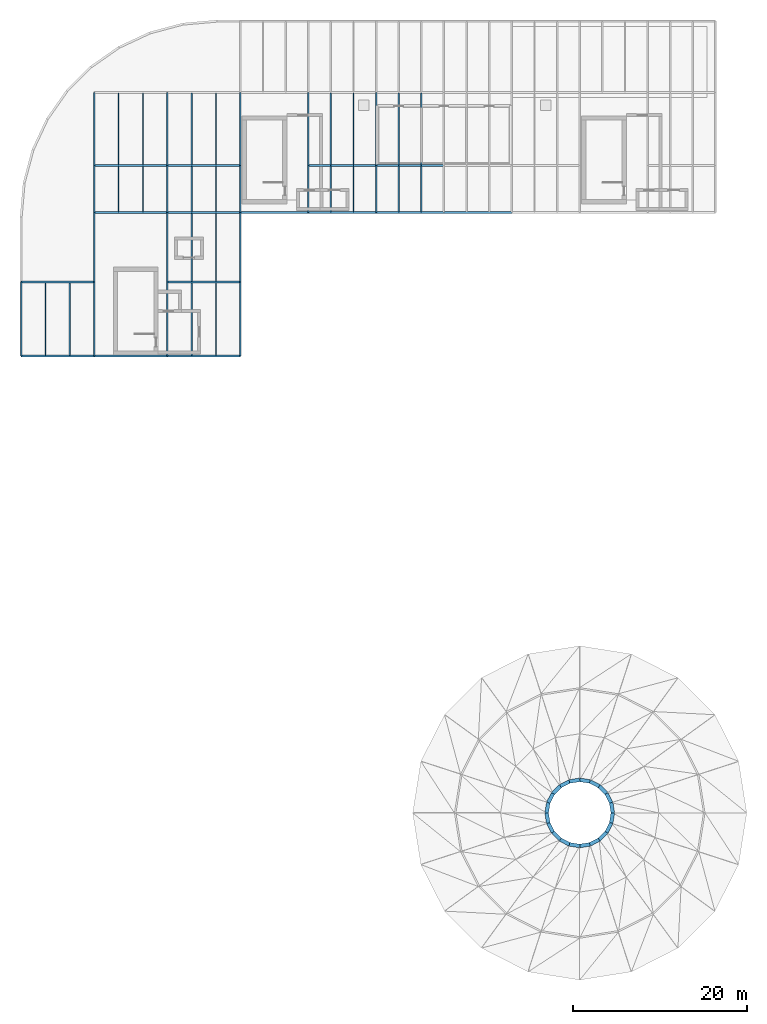
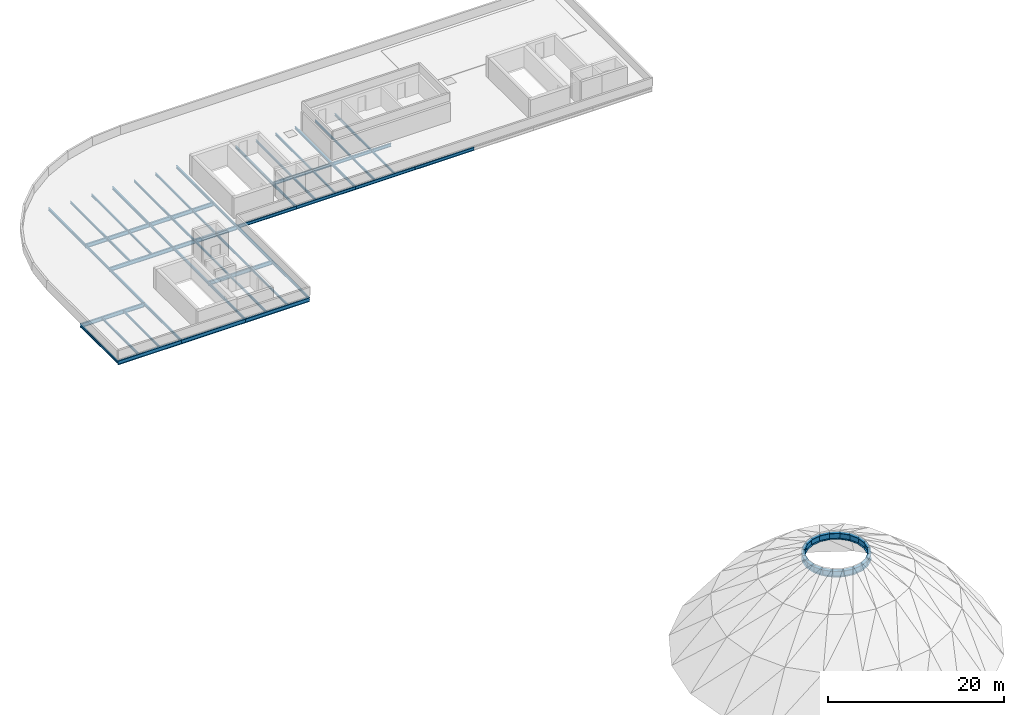
# One storey, part 1 of 9: 74 beams.
"""IFC4 building model written with IfcOpenShell, lengths in metres."""

from ifc_helpers import new_model, si_unit, direction, frame, origin, origin_2d, place, context, subcontext, project, spatial, i_section, extrude, material, material_profile, profile_set, type_object, element, save


model = new_model("IFC4")

# Units and contexts
model_context = context("Model", 3, precision=1e-05, world=origin(), true_north=direction((0.0, 1.0)))
body_context = subcontext(model_context, "Body", "Model", "MODEL_VIEW")
ifc_project = project(units=[si_unit("LENGTHUNIT", "METRE"), si_unit("AREAUNIT", "SQUARE_METRE"), si_unit("VOLUMEUNIT", "CUBIC_METRE"), si_unit("PLANEANGLEUNIT", "RADIAN"), si_unit("MASSUNIT", "GRAM", prefix="KILO")], contexts=[model_context])

# Site, building, storey
site_placement = place(None, origin())
site = spatial("IfcSite", under=ifc_project, at=site_placement, CompositionType="ELEMENT")
building_placement = place(site_placement, origin())
building = spatial("IfcBuilding", under=site, at=building_placement, Name="Sefraquen Railside Congress Hotel", CompositionType="ELEMENT")
storey_placement = place(building_placement, frame((0.0, 0.0, 51.60009765625)))
storey = spatial("IfcBuildingStorey", under=building, at=storey_placement, Name="RF", CompositionType="ELEMENT", Elevation=51.60009765625)

# Beams
ifc_material_1 = material(Name="Steel S355JR", Category="steel")
ifc_material_profile_1 = material_profile(ifc_material_1, i_section(OverallWidth=0.169921875, OverallDepth=0.360107421875, WebThickness=0.008056640625, FlangeThickness=0.0126953125, FilletRadius=0.01806640625, at=origin_2d()), Name="IPE 360")
ifc_profile_set_1 = profile_set([ifc_material_profile_1], Name="Steel S355JR")
beam_type_1 = type_object("IfcBeamType", Name="TB-BM-360", PredefinedType="BEAM", material=ifc_profile_set_1)
for number, where, z_axis, x_axis, name in (
    (1, (0.0, 79.5, -0.440185546875), (0.0, 1.0, 0.0), (-1.0, 0.0, 0.0), "Floor beam BM-RF-2272"),
    (2, (8.39990234375, 79.5, -0.440185546875), (0.0, 1.0, 0.0), (-1.0, 0.0, 0.0), "Floor beam BM-RF-2273"),
):
    element("IfcBeam", number, at=place(storey_placement, frame(where, z_axis=z_axis, x_axis=x_axis)), inside=storey, type_object=beam_type_1, Name=name, PredefinedType="BEAM", context=body_context, shape_type="SweptSolid", body=[
        extrude(i_section(OverallWidth=0.169921875, OverallDepth=0.360107421875, WebThickness=0.008056640625, FlangeThickness=0.0126953125, FilletRadius=0.01806640625, at=origin_2d()), origin(), (0.0, 0.0, 1.0), 8.5),
    ])
beam_1_placement = place(storey_placement, frame((8.39990234375, 88.0, -0.440185546875), z_axis=(0.0, 1.0, 0.0), x_axis=(-1.0, 0.0, 0.0)))
element("IfcBeam", 3, at=beam_1_placement, inside=storey, type_object=beam_type_1, Name="Floor beam BM-RF-2274", PredefinedType="BEAM", context=body_context, shape_type="SweptSolid", body=[
    extrude(i_section(OverallWidth=0.169921875, OverallDepth=0.360107421875, WebThickness=0.008056640625, FlangeThickness=0.0126953125, FilletRadius=0.01806640625, at=origin_2d()), origin(), (0.0, 0.0, 1.0), 8.0),
])
beam_2_placement = place(storey_placement, frame((8.39990234375, 96.0, -0.440185546875), z_axis=(0.0, 1.0, 0.0), x_axis=(-1.0, 0.0, 0.0)))
element("IfcBeam", 4, at=beam_2_placement, inside=storey, type_object=beam_type_1, Name="Floor beam BM-RF-2275", PredefinedType="BEAM", context=body_context, shape_type="SweptSolid", body=[
    extrude(i_section(OverallWidth=0.169921875, OverallDepth=0.360107421875, WebThickness=0.008056640625, FlangeThickness=0.0126953125, FilletRadius=0.01806640625, at=origin_2d()), origin(), (0.0, 0.0, 1.0), 5.39990234375),
])
beam_3_placement = place(storey_placement, frame((8.39990234375, 101.39990234375, -0.440185546875), z_axis=(0.0, 1.0, 0.0), x_axis=(-1.0, 0.0, 0.0)))
element("IfcBeam", 5, at=beam_3_placement, inside=storey, type_object=beam_type_1, Name="Floor beam BM-RF-2276", PredefinedType="BEAM", context=body_context, shape_type="SweptSolid", body=[
    extrude(i_section(OverallWidth=0.169921875, OverallDepth=0.360107421875, WebThickness=0.008056640625, FlangeThickness=0.0126953125, FilletRadius=0.01806640625, at=origin_2d()), origin(), (0.0, 0.0, 1.0), 8.400146484375),
])
beam_4_placement = place(storey_placement, frame((16.800048828125, 79.5, -0.440185546875), z_axis=(0.0, 1.0, 0.0), x_axis=(-1.0, 0.0, 0.0)))
element("IfcBeam", 6, at=beam_4_placement, inside=storey, type_object=beam_type_1, Name="Floor beam BM-RF-2277", PredefinedType="BEAM", context=body_context, shape_type="SweptSolid", body=[
    extrude(i_section(OverallWidth=0.169921875, OverallDepth=0.360107421875, WebThickness=0.008056640625, FlangeThickness=0.0126953125, FilletRadius=0.01806640625, at=origin_2d()), origin(), (0.0, 0.0, 1.0), 8.5),
])
beam_5_placement = place(storey_placement, frame((16.800048828125, 88.0, -0.440185546875), z_axis=(0.0, 1.0, 0.0), x_axis=(-1.0, 0.0, 0.0)))
element("IfcBeam", 7, at=beam_5_placement, inside=storey, type_object=beam_type_1, Name="Floor beam BM-RF-2278", PredefinedType="BEAM", context=body_context, shape_type="SweptSolid", body=[
    extrude(i_section(OverallWidth=0.169921875, OverallDepth=0.360107421875, WebThickness=0.008056640625, FlangeThickness=0.0126953125, FilletRadius=0.01806640625, at=origin_2d()), origin(), (0.0, 0.0, 1.0), 8.0),
])
beam_6_placement = place(storey_placement, frame((16.800048828125, 96.0, -0.440185546875), z_axis=(0.0, 1.0, 0.0), x_axis=(-1.0, 0.0, 0.0)))
element("IfcBeam", 8, at=beam_6_placement, inside=storey, type_object=beam_type_1, Name="Floor beam BM-RF-2279", PredefinedType="BEAM", context=body_context, shape_type="SweptSolid", body=[
    extrude(i_section(OverallWidth=0.169921875, OverallDepth=0.360107421875, WebThickness=0.008056640625, FlangeThickness=0.0126953125, FilletRadius=0.01806640625, at=origin_2d()), origin(), (0.0, 0.0, 1.0), 5.39990234375),
])
beam_7_placement = place(storey_placement, frame((16.800048828125, 101.39990234375, -0.440185546875), z_axis=(0.0, 1.0, 0.0), x_axis=(-1.0, 0.0, 0.0)))
element("IfcBeam", 9, at=beam_7_placement, inside=storey, type_object=beam_type_1, Name="Floor beam BM-RF-2280", PredefinedType="BEAM", context=body_context, shape_type="SweptSolid", body=[
    extrude(i_section(OverallWidth=0.169921875, OverallDepth=0.360107421875, WebThickness=0.008056640625, FlangeThickness=0.0126953125, FilletRadius=0.01806640625, at=origin_2d()), origin(), (0.0, 0.0, 1.0), 8.400146484375),
])
beam_8_placement = place(storey_placement, frame((25.199951171875, 79.5, -0.440185546875), z_axis=(0.0, 1.0, 0.0), x_axis=(-1.0, 0.0, 0.0)))
element("IfcBeam", 10, at=beam_8_placement, inside=storey, type_object=beam_type_1, Name="Floor beam BM-RF-2281", PredefinedType="BEAM", context=body_context, shape_type="SweptSolid", body=[
    extrude(i_section(OverallWidth=0.169921875, OverallDepth=0.360107421875, WebThickness=0.008056640625, FlangeThickness=0.0126953125, FilletRadius=0.01806640625, at=origin_2d()), origin(), (0.0, 0.0, 1.0), 8.5),
])
beam_9_placement = place(storey_placement, frame((25.199951171875, 88.0, -0.440185546875), z_axis=(0.0, 1.0, 0.0), x_axis=(-1.0, 0.0, 0.0)))
element("IfcBeam", 11, at=beam_9_placement, inside=storey, type_object=beam_type_1, Name="Floor beam BM-RF-2282", PredefinedType="BEAM", context=body_context, shape_type="SweptSolid", body=[
    extrude(i_section(OverallWidth=0.169921875, OverallDepth=0.360107421875, WebThickness=0.008056640625, FlangeThickness=0.0126953125, FilletRadius=0.01806640625, at=origin_2d()), origin(), (0.0, 0.0, 1.0), 8.0),
])
beam_10_placement = place(storey_placement, frame((25.199951171875, 96.0, -0.440185546875), z_axis=(0.0, 1.0, 0.0), x_axis=(-1.0, 0.0, 0.0)))
element("IfcBeam", 12, at=beam_10_placement, inside=storey, type_object=beam_type_1, Name="Floor beam BM-RF-2283", PredefinedType="BEAM", context=body_context, shape_type="SweptSolid", body=[
    extrude(i_section(OverallWidth=0.169921875, OverallDepth=0.360107421875, WebThickness=0.008056640625, FlangeThickness=0.0126953125, FilletRadius=0.01806640625, at=origin_2d()), origin(), (0.0, 0.0, 1.0), 5.39990234375),
])
beam_11_placement = place(storey_placement, frame((25.199951171875, 101.39990234375, -0.440185546875), z_axis=(0.0, 1.0, 0.0), x_axis=(-1.0, 0.0, 0.0)))
element("IfcBeam", 13, at=beam_11_placement, inside=storey, type_object=beam_type_1, Name="Floor beam BM-RF-2284", PredefinedType="BEAM", context=body_context, shape_type="SweptSolid", body=[
    extrude(i_section(OverallWidth=0.169921875, OverallDepth=0.360107421875, WebThickness=0.008056640625, FlangeThickness=0.0126953125, FilletRadius=0.01806640625, at=origin_2d()), origin(), (0.0, 0.0, 1.0), 8.400146484375),
])
beam_12_placement = place(storey_placement, frame((33.0, 96.0, -0.440185546875), z_axis=(0.0, 1.0, 0.0), x_axis=(-1.0, 0.0, 0.0)))
element("IfcBeam", 14, at=beam_12_placement, inside=storey, type_object=beam_type_1, Name="Floor beam BM-RF-2286", PredefinedType="BEAM", context=body_context, shape_type="SweptSolid", body=[
    extrude(i_section(OverallWidth=0.169921875, OverallDepth=0.360107421875, WebThickness=0.008056640625, FlangeThickness=0.0126953125, FilletRadius=0.01806640625, at=origin_2d()), origin(), (0.0, 0.0, 1.0), 5.39990234375),
])
beam_13_placement = place(storey_placement, frame((33.0, 101.39990234375, -0.440185546875), z_axis=(0.0, 1.0, 0.0), x_axis=(-1.0, 0.0, 0.0)))
element("IfcBeam", 15, at=beam_13_placement, inside=storey, type_object=beam_type_1, Name="Floor beam BM-RF-2287", PredefinedType="BEAM", context=body_context, shape_type="SweptSolid", body=[
    extrude(i_section(OverallWidth=0.169921875, OverallDepth=0.360107421875, WebThickness=0.008056640625, FlangeThickness=0.0126953125, FilletRadius=0.01806640625, at=origin_2d()), origin(), (0.0, 0.0, 1.0), 8.400146484375),
])
beam_14_placement = place(storey_placement, frame((40.800048828125, 96.0, -0.440185546875), z_axis=(0.0, 1.0, 0.0), x_axis=(-1.0, 0.0, 0.0)))
element("IfcBeam", 16, at=beam_14_placement, inside=storey, type_object=beam_type_1, Name="Floor beam BM-RF-2289", PredefinedType="BEAM", context=body_context, shape_type="SweptSolid", body=[
    extrude(i_section(OverallWidth=0.169921875, OverallDepth=0.360107421875, WebThickness=0.008056640625, FlangeThickness=0.0126953125, FilletRadius=0.01806640625, at=origin_2d()), origin(), (0.0, 0.0, 1.0), 5.39990234375),
])
beam_15_placement = place(storey_placement, frame((40.800048828125, 101.39990234375, -0.440185546875), z_axis=(0.0, 1.0, 0.0), x_axis=(-1.0, 0.0, 0.0)))
element("IfcBeam", 17, at=beam_15_placement, inside=storey, type_object=beam_type_1, Name="Floor beam BM-RF-2290", PredefinedType="BEAM", context=body_context, shape_type="SweptSolid", body=[
    extrude(i_section(OverallWidth=0.169921875, OverallDepth=0.360107421875, WebThickness=0.008056640625, FlangeThickness=0.0126953125, FilletRadius=0.01806640625, at=origin_2d()), origin(), (0.0, 0.0, 1.0), 8.400146484375),
])
ifc_material_profile_2 = material_profile(ifc_material_1, i_section(OverallWidth=0.18994140625, OverallDepth=0.449951171875, WebThickness=0.009521484375, FlangeThickness=0.0146484375, FilletRadius=0.02099609375, at=origin_2d()), Name="IPE 450")
ifc_profile_set_2 = profile_set([ifc_material_profile_2], Name="Steel S355JR")
beam_type_2 = type_object("IfcBeamType", Name="TB-BM-450", PredefinedType="BEAM", material=ifc_profile_set_2)
for number, where, z_axis, x_axis, name in (
    (18, (25.199951171875, 96.0, -0.485107421875), (1.0, 0.0, 0.0), (0.0, 1.0, 0.0), "Primary girder BM-RF-2242"),
    (19, (33.0, 96.0, -0.485107421875), (1.0, 0.0, 0.0), (0.0, 1.0, 0.0), "Primary girder BM-RF-2243"),
    (20, (40.800048828125, 96.0, -0.485107421875), (1.0, 0.0, 0.0), (0.0, 1.0, 0.0), "Primary girder BM-RF-2244"),
):
    element("IfcBeam", number, at=place(storey_placement, frame(where, z_axis=z_axis, x_axis=x_axis)), inside=storey, type_object=beam_type_2, Name=name, PredefinedType="BEAM", context=body_context, shape_type="SweptSolid", body=[
        extrude(i_section(OverallWidth=0.18994140625, OverallDepth=0.449951171875, WebThickness=0.009521484375, FlangeThickness=0.0146484375, FilletRadius=0.02099609375, at=origin_2d()), origin(), (0.0, 0.0, 1.0), 7.800048828125),
    ])
beam_16_placement = place(storey_placement, frame((48.60009765625, 96.0, -0.485107421875), z_axis=(1.0, 0.0, 0.0), x_axis=(0.0, 1.0, 0.0)))
element("IfcBeam", 21, at=beam_16_placement, inside=storey, type_object=beam_type_2, Name="Primary girder BM-RF-2245", PredefinedType="BEAM", context=body_context, shape_type="SweptSolid", body=[
    extrude(i_section(OverallWidth=0.18994140625, OverallDepth=0.449951171875, WebThickness=0.009521484375, FlangeThickness=0.0146484375, FilletRadius=0.02099609375, at=origin_2d()), origin(), (0.0, 0.0, 1.0), 7.7998046875),
])
for number, where, z_axis, x_axis, name in (
    (22, (33.0, 101.39990234375, -0.485107421875), (1.0, 0.0, 0.0), (0.0, 1.0, 0.0), "Primary girder BM-RF-2251"),
    (23, (40.800048828125, 101.39990234375, -0.485107421875), (1.0, 0.0, 0.0), (0.0, 1.0, 0.0), "Primary girder BM-RF-2252"),
):
    element("IfcBeam", number, at=place(storey_placement, frame(where, z_axis=z_axis, x_axis=x_axis)), inside=storey, type_object=beam_type_2, Name=name, PredefinedType="BEAM", context=body_context, shape_type="SweptSolid", body=[
        extrude(i_section(OverallWidth=0.18994140625, OverallDepth=0.449951171875, WebThickness=0.009521484375, FlangeThickness=0.0146484375, FilletRadius=0.02099609375, at=origin_2d()), origin(), (0.0, 0.0, 1.0), 7.800048828125),
    ])
ifc_material_2 = material(Name="Steel S355J2", Category="steel")
ifc_material_profile_3 = material_profile(ifc_material_2, i_section(OverallWidth=0.419921875, OverallDepth=0.85009765625, WebThickness=0.02001953125, FlangeThickness=0.035888671875, at=origin_2d()), Name="DRB 850x420")
ifc_profile_set_3 = profile_set([ifc_material_profile_3], Name="Steel S355J2")
beam_type_3 = type_object("IfcBeamType", Name="TB-DRB-850", PredefinedType="USERDEFINED", material=ifc_profile_set_3)
beam_17_placement = place(storey_placement, frame((68.0, 27.0, -17.8251953125), z_axis=(-0.156468687079, 0.987682919749, 0.0), x_axis=(-0.987682919749, -0.156468687079, 0.0)))
element("IfcBeam", 24, at=beam_17_placement, inside=storey, type_object=beam_type_3, Name="Dome oculus compression ring beam 01", ObjectType="RING BEAM", PredefinedType="USERDEFINED", context=body_context, shape_type="SweptSolid", body=[
    extrude(i_section(OverallWidth=0.419921875, OverallDepth=0.85009765625, WebThickness=0.02001953125, FlangeThickness=0.035888671875, at=origin_2d()), origin(), (0.0, 0.0, 1.0), 1.18896484375),
])
beam_18_placement = place(storey_placement, frame((67.81396484375, 28.17431640625, -17.8251953125), z_axis=(-0.45385502277, 0.89107554018, 0.0), x_axis=(-0.89107554018, -0.45385502277, 0.0)))
element("IfcBeam", 25, at=beam_18_placement, inside=storey, type_object=beam_type_3, Name="Dome oculus compression ring beam 02", ObjectType="RING BEAM", PredefinedType="USERDEFINED", context=body_context, shape_type="SweptSolid", body=[
    extrude(i_section(OverallWidth=0.419921875, OverallDepth=0.85009765625, WebThickness=0.02001953125, FlangeThickness=0.035888671875, at=origin_2d()), origin(), (0.0, 0.0, 1.0), 1.188720703125),
])
for number, where, z_axis, x_axis, name in (
    (26, (67.2744140625, 29.233642578125, -17.8251953125), (-0.707209446416, 0.707004101049, 0.0), (-0.707004101049, -0.707209446416, 0.0), "Dome oculus compression ring beam 03"),
    (27, (66.43359375, 30.07421875, -17.8251953125), (-0.890992479772, 0.454018062405, 0.0), (-0.454018062405, -0.890992479772, 0.0), "Dome oculus compression ring beam 04"),
    (28, (65.374267578125, 30.614013671875, -17.8251953125), (-0.987682919749, 0.156468687079, 0.0), (-0.156468687079, -0.987682919749, 0.0), "Dome oculus compression ring beam 05"),
    (29, (64.199951171875, 30.800048828125, -17.8251953125), (-0.987682919749, -0.156468687079, 0.0), (0.156468687079, -0.987682919749, 0.0), "Dome oculus compression ring beam 06"),
    (30, (63.025634765625, 30.614013671875, -17.8251953125), (-0.890992479772, -0.454018062405, 0.0), (0.454018062405, -0.890992479772, 0.0), "Dome oculus compression ring beam 07"),
):
    element("IfcBeam", number, at=place(storey_placement, frame(where, z_axis=z_axis, x_axis=x_axis)), inside=storey, type_object=beam_type_3, Name=name, ObjectType="RING BEAM", PredefinedType="USERDEFINED", context=body_context, shape_type="SweptSolid", body=[
        extrude(i_section(OverallWidth=0.419921875, OverallDepth=0.85009765625, WebThickness=0.02001953125, FlangeThickness=0.035888671875, at=origin_2d()), origin(), (0.0, 0.0, 1.0), 1.18896484375),
    ])
beam_19_placement = place(storey_placement, frame((61.96630859375, 30.07421875, -17.8251953125), z_axis=(-0.707106781187, -0.707106781187, 0.0), x_axis=(0.707106781187, -0.707106781187, 0.0)))
element("IfcBeam", 31, at=beam_19_placement, inside=storey, type_object=beam_type_3, Name="Dome oculus compression ring beam 08", ObjectType="RING BEAM", PredefinedType="USERDEFINED", context=body_context, shape_type="SweptSolid", body=[
    extrude(i_section(OverallWidth=0.419921875, OverallDepth=0.85009765625, WebThickness=0.02001953125, FlangeThickness=0.035888671875, at=origin_2d()), origin(), (0.0, 0.0, 1.0), 1.188720703125),
])
for number, where, z_axis, x_axis, name in (
    (32, (61.125732421875, 29.233642578125, -17.8251953125), (-0.454018062405, -0.890992479772, 0.0), (0.890992479772, -0.454018062405, 0.0), "Dome oculus compression ring beam 09"),
    (33, (60.5859375, 28.17431640625, -17.8251953125), (-0.156468687079, -0.987682919749, 0.0), (0.987682919749, -0.156468687079, 0.0), "Dome oculus compression ring beam 10"),
    (34, (60.39990234375, 27.0, -17.8251953125), (0.156468687079, -0.987682919749, 0.0), (0.987682919749, 0.156468687079, 0.0), "Dome oculus compression ring beam 11"),
    (35, (60.5859375, 25.82568359375, -17.8251953125), (0.454018062405, -0.890992479772, 0.0), (0.890992479772, 0.454018062405, 0.0), "Dome oculus compression ring beam 12"),
):
    element("IfcBeam", number, at=place(storey_placement, frame(where, z_axis=z_axis, x_axis=x_axis)), inside=storey, type_object=beam_type_3, Name=name, ObjectType="RING BEAM", PredefinedType="USERDEFINED", context=body_context, shape_type="SweptSolid", body=[
        extrude(i_section(OverallWidth=0.419921875, OverallDepth=0.85009765625, WebThickness=0.02001953125, FlangeThickness=0.035888671875, at=origin_2d()), origin(), (0.0, 0.0, 1.0), 1.18896484375),
    ])
beam_20_placement = place(storey_placement, frame((61.125732421875, 24.766357421875, -17.8251953125), z_axis=(0.707106781187, -0.707106781187, 0.0), x_axis=(0.707106781187, 0.707106781187, 0.0)))
element("IfcBeam", 36, at=beam_20_placement, inside=storey, type_object=beam_type_3, Name="Dome oculus compression ring beam 13", ObjectType="RING BEAM", PredefinedType="USERDEFINED", context=body_context, shape_type="SweptSolid", body=[
    extrude(i_section(OverallWidth=0.419921875, OverallDepth=0.85009765625, WebThickness=0.02001953125, FlangeThickness=0.035888671875, at=origin_2d()), origin(), (0.0, 0.0, 1.0), 1.188720703125),
])
for number, where, z_axis, x_axis, name in (
    (37, (61.96630859375, 23.92578125, -17.8251953125), (0.890992479772, -0.454018062405, 0.0), (0.454018062405, 0.890992479772, 0.0), "Dome oculus compression ring beam 14"),
    (38, (63.025634765625, 23.385986328125, -17.8251953125), (0.987682919749, -0.156468687079, 0.0), (0.156468687079, 0.987682919749, 0.0), "Dome oculus compression ring beam 15"),
    (39, (64.199951171875, 23.199951171875, -17.8251953125), (0.987682919749, 0.156468687079, 0.0), (-0.156468687079, 0.987682919749, 0.0), "Dome oculus compression ring beam 16"),
    (40, (65.374267578125, 23.385986328125, -17.8251953125), (0.890992479772, 0.454018062405, 0.0), (-0.454018062405, 0.890992479772, 0.0), "Dome oculus compression ring beam 17"),
    (41, (66.43359375, 23.92578125, -17.8251953125), (0.707209446416, 0.707004101049, 0.0), (-0.707004101049, 0.707209446416, 0.0), "Dome oculus compression ring beam 18"),
):
    element("IfcBeam", number, at=place(storey_placement, frame(where, z_axis=z_axis, x_axis=x_axis)), inside=storey, type_object=beam_type_3, Name=name, ObjectType="RING BEAM", PredefinedType="USERDEFINED", context=body_context, shape_type="SweptSolid", body=[
        extrude(i_section(OverallWidth=0.419921875, OverallDepth=0.85009765625, WebThickness=0.02001953125, FlangeThickness=0.035888671875, at=origin_2d()), origin(), (0.0, 0.0, 1.0), 1.18896484375),
    ])
beam_21_placement = place(storey_placement, frame((67.2744140625, 24.766357421875, -17.8251953125), z_axis=(0.45385502277, 0.89107554018, 0.0), x_axis=(-0.89107554018, 0.45385502277, 0.0)))
element("IfcBeam", 42, at=beam_21_placement, inside=storey, type_object=beam_type_3, Name="Dome oculus compression ring beam 19", ObjectType="RING BEAM", PredefinedType="USERDEFINED", context=body_context, shape_type="SweptSolid", body=[
    extrude(i_section(OverallWidth=0.419921875, OverallDepth=0.85009765625, WebThickness=0.02001953125, FlangeThickness=0.035888671875, at=origin_2d()), origin(), (0.0, 0.0, 1.0), 1.188720703125),
])
beam_22_placement = place(storey_placement, frame((67.81396484375, 25.82568359375, -17.8251953125), z_axis=(0.156468687079, 0.987682919749, 0.0), x_axis=(-0.987682919749, 0.156468687079, 0.0)))
element("IfcBeam", 43, at=beam_22_placement, inside=storey, type_object=beam_type_3, Name="Dome oculus compression ring beam 20", ObjectType="RING BEAM", PredefinedType="USERDEFINED", context=body_context, shape_type="SweptSolid", body=[
    extrude(i_section(OverallWidth=0.419921875, OverallDepth=0.85009765625, WebThickness=0.02001953125, FlangeThickness=0.035888671875, at=origin_2d()), origin(), (0.0, 0.0, 1.0), 1.18896484375),
])
ifc_material_profile_4 = material_profile(ifc_material_1, i_section(OverallWidth=0.2099609375, OverallDepth=0.550048828125, WebThickness=0.010986328125, FlangeThickness=0.01708984375, FilletRadius=0.02392578125, at=origin_2d()), Name="IPE 550")
ifc_profile_set_4 = profile_set([ifc_material_profile_4], Name="Steel S355JR")
beam_type_4 = type_object("IfcBeamType", Name="TB-GIR-550", PredefinedType="T_BEAM", material=ifc_profile_set_4)
beam_23_placement = place(storey_placement, frame((0.0, 79.5, -0.53515625), z_axis=(1.0, 0.0, 0.0), x_axis=(0.0, 1.0, 0.0)))
element("IfcBeam", 44, at=beam_23_placement, inside=storey, type_object=beam_type_4, Name="Primary girder BM-RF-2235", PredefinedType="T_BEAM", context=body_context, shape_type="SweptSolid", body=[
    extrude(i_section(OverallWidth=0.2099609375, OverallDepth=0.550048828125, WebThickness=0.010986328125, FlangeThickness=0.01708984375, FilletRadius=0.02392578125, at=origin_2d()), origin(), (0.0, 0.0, 1.0), 8.39990234375),
])
beam_24_placement = place(storey_placement, frame((8.39990234375, 79.5, -0.53515625), z_axis=(1.0, 0.0, 0.0), x_axis=(0.0, 1.0, 0.0)))
element("IfcBeam", 45, at=beam_24_placement, inside=storey, type_object=beam_type_4, Name="Primary girder BM-RF-2236", PredefinedType="T_BEAM", context=body_context, shape_type="SweptSolid", body=[
    extrude(i_section(OverallWidth=0.2099609375, OverallDepth=0.550048828125, WebThickness=0.010986328125, FlangeThickness=0.01708984375, FilletRadius=0.02392578125, at=origin_2d()), origin(), (0.0, 0.0, 1.0), 8.400146484375),
])
for number, where, z_axis, x_axis, name in (
    (46, (16.800048828125, 79.5, -0.53515625), (1.0, 0.0, 0.0), (0.0, 1.0, 0.0), "Primary girder BM-RF-2237"),
    (47, (0.0, 88.0, -0.53515625), (1.0, 0.0, 0.0), (0.0, 1.0, 0.0), "Primary girder BM-RF-2238"),
    (48, (16.800048828125, 88.0, -0.53515625), (1.0, 0.0, 0.0), (0.0, 1.0, 0.0), "Primary girder BM-RF-2239"),
):
    element("IfcBeam", number, at=place(storey_placement, frame(where, z_axis=z_axis, x_axis=x_axis)), inside=storey, type_object=beam_type_4, Name=name, PredefinedType="T_BEAM", context=body_context, shape_type="SweptSolid", body=[
        extrude(i_section(OverallWidth=0.2099609375, OverallDepth=0.550048828125, WebThickness=0.010986328125, FlangeThickness=0.01708984375, FilletRadius=0.02392578125, at=origin_2d()), origin(), (0.0, 0.0, 1.0), 8.39990234375),
    ])
beam_25_placement = place(storey_placement, frame((8.39990234375, 96.0, -0.53515625), z_axis=(1.0, 0.0, 0.0), x_axis=(0.0, 1.0, 0.0)))
element("IfcBeam", 49, at=beam_25_placement, inside=storey, type_object=beam_type_4, Name="Primary girder BM-RF-2240", PredefinedType="T_BEAM", context=body_context, shape_type="SweptSolid", body=[
    extrude(i_section(OverallWidth=0.2099609375, OverallDepth=0.550048828125, WebThickness=0.010986328125, FlangeThickness=0.01708984375, FilletRadius=0.02392578125, at=origin_2d()), origin(), (0.0, 0.0, 1.0), 8.400146484375),
])
beam_26_placement = place(storey_placement, frame((16.800048828125, 96.0, -0.53515625), z_axis=(1.0, 0.0, 0.0), x_axis=(0.0, 1.0, 0.0)))
element("IfcBeam", 50, at=beam_26_placement, inside=storey, type_object=beam_type_4, Name="Primary girder BM-RF-2241", PredefinedType="T_BEAM", context=body_context, shape_type="SweptSolid", body=[
    extrude(i_section(OverallWidth=0.2099609375, OverallDepth=0.550048828125, WebThickness=0.010986328125, FlangeThickness=0.01708984375, FilletRadius=0.02392578125, at=origin_2d()), origin(), (0.0, 0.0, 1.0), 8.39990234375),
])
beam_27_placement = place(storey_placement, frame((8.39990234375, 101.39990234375, -0.53515625), z_axis=(1.0, 0.0, 0.0), x_axis=(0.0, 1.0, 0.0)))
element("IfcBeam", 51, at=beam_27_placement, inside=storey, type_object=beam_type_4, Name="Primary girder BM-RF-2249", PredefinedType="T_BEAM", context=body_context, shape_type="SweptSolid", body=[
    extrude(i_section(OverallWidth=0.2099609375, OverallDepth=0.550048828125, WebThickness=0.010986328125, FlangeThickness=0.01708984375, FilletRadius=0.02392578125, at=origin_2d()), origin(), (0.0, 0.0, 1.0), 8.400146484375),
])
beam_28_placement = place(storey_placement, frame((16.800048828125, 101.39990234375, -0.53515625), z_axis=(1.0, 0.0, 0.0), x_axis=(0.0, 1.0, 0.0)))
element("IfcBeam", 52, at=beam_28_placement, inside=storey, type_object=beam_type_4, Name="Primary girder BM-RF-2250", PredefinedType="T_BEAM", context=body_context, shape_type="SweptSolid", body=[
    extrude(i_section(OverallWidth=0.2099609375, OverallDepth=0.550048828125, WebThickness=0.010986328125, FlangeThickness=0.01708984375, FilletRadius=0.02392578125, at=origin_2d()), origin(), (0.0, 0.0, 1.0), 8.39990234375),
])
ifc_material_profile_5 = material_profile(ifc_material_1, i_section(OverallWidth=0.14990234375, OverallDepth=0.300048828125, WebThickness=0.007080078125, FlangeThickness=0.0107421875, FilletRadius=0.014892578125, at=origin_2d()), Name="IPE 300")
ifc_profile_set_5 = profile_set([ifc_material_profile_5], Name="Steel S355JR")
beam_type_5 = type_object("IfcBeamType", Name="TB-JST-300", PredefinedType="JOIST", material=ifc_profile_set_5)
for number, where, z_axis, x_axis, name in (
    (53, (2.800048828125, 79.5849609375, -0.41015625), (0.0, 1.0, 0.0), (-1.0, 0.0, 0.0), "Composite floor joist BM-RF-J1528"),
    (54, (5.60009765625, 79.5849609375, -0.41015625), (0.0, 1.0, 0.0), (-1.0, 0.0, 0.0), "Composite floor joist BM-RF-J1529"),
):
    element("IfcBeam", number, at=place(storey_placement, frame(where, z_axis=z_axis, x_axis=x_axis)), inside=storey, type_object=beam_type_5, Name=name, PredefinedType="JOIST", context=body_context, shape_type="SweptSolid", body=[
        extrude(i_section(OverallWidth=0.14990234375, OverallDepth=0.300048828125, WebThickness=0.007080078125, FlangeThickness=0.0107421875, FilletRadius=0.014892578125, at=origin_2d()), origin(), (0.0, 0.0, 1.0), 8.330078125),
    ])
for number, where, z_axis, x_axis, name in (
    (55, (11.199951171875, 96.0849609375, -0.41015625), (0.0, 1.0, 0.0), (-1.0, 0.0, 0.0), "Composite floor joist BM-RF-J1530"),
    (56, (14.0, 96.0849609375, -0.41015625), (0.0, 1.0, 0.0), (-1.0, 0.0, 0.0), "Composite floor joist BM-RF-J1531"),
):
    element("IfcBeam", number, at=place(storey_placement, frame(where, z_axis=z_axis, x_axis=x_axis)), inside=storey, type_object=beam_type_5, Name=name, PredefinedType="JOIST", context=body_context, shape_type="SweptSolid", body=[
        extrude(i_section(OverallWidth=0.14990234375, OverallDepth=0.300048828125, WebThickness=0.007080078125, FlangeThickness=0.0107421875, FilletRadius=0.014892578125, at=origin_2d()), origin(), (0.0, 0.0, 1.0), 5.22998046875),
    ])
for number, where, z_axis, x_axis, name in (
    (57, (11.199951171875, 101.485107421875, -0.41015625), (0.0, 1.0, 0.0), (-1.0, 0.0, 0.0), "Composite floor joist BM-RF-J1532"),
    (58, (14.0, 101.485107421875, -0.41015625), (0.0, 1.0, 0.0), (-1.0, 0.0, 0.0), "Composite floor joist BM-RF-J1533"),
):
    element("IfcBeam", number, at=place(storey_placement, frame(where, z_axis=z_axis, x_axis=x_axis)), inside=storey, type_object=beam_type_5, Name=name, PredefinedType="JOIST", context=body_context, shape_type="SweptSolid", body=[
        extrude(i_section(OverallWidth=0.14990234375, OverallDepth=0.300048828125, WebThickness=0.007080078125, FlangeThickness=0.0107421875, FilletRadius=0.014892578125, at=origin_2d()), origin(), (0.0, 0.0, 1.0), 8.22998046875),
    ])
for number, where, z_axis, x_axis, name in (
    (59, (19.60009765625, 79.5849609375, -0.41015625), (0.0, 1.0, 0.0), (-1.0, 0.0, 0.0), "Composite floor joist BM-RF-J1534"),
    (60, (22.39990234375, 79.5849609375, -0.41015625), (0.0, 1.0, 0.0), (-1.0, 0.0, 0.0), "Composite floor joist BM-RF-J1535"),
):
    element("IfcBeam", number, at=place(storey_placement, frame(where, z_axis=z_axis, x_axis=x_axis)), inside=storey, type_object=beam_type_5, Name=name, PredefinedType="JOIST", context=body_context, shape_type="SweptSolid", body=[
        extrude(i_section(OverallWidth=0.14990234375, OverallDepth=0.300048828125, WebThickness=0.007080078125, FlangeThickness=0.0107421875, FilletRadius=0.014892578125, at=origin_2d()), origin(), (0.0, 0.0, 1.0), 8.330078125),
    ])
for number, where, z_axis, x_axis, name in (
    (61, (19.60009765625, 88.0849609375, -0.41015625), (0.0, 1.0, 0.0), (-1.0, 0.0, 0.0), "Composite floor joist BM-RF-J1536"),
    (62, (22.39990234375, 88.0849609375, -0.41015625), (0.0, 1.0, 0.0), (-1.0, 0.0, 0.0), "Composite floor joist BM-RF-J1537"),
):
    element("IfcBeam", number, at=place(storey_placement, frame(where, z_axis=z_axis, x_axis=x_axis)), inside=storey, type_object=beam_type_5, Name=name, PredefinedType="JOIST", context=body_context, shape_type="SweptSolid", body=[
        extrude(i_section(OverallWidth=0.14990234375, OverallDepth=0.300048828125, WebThickness=0.007080078125, FlangeThickness=0.0107421875, FilletRadius=0.014892578125, at=origin_2d()), origin(), (0.0, 0.0, 1.0), 7.830078125),
    ])
for number, where, z_axis, x_axis, name in (
    (63, (19.60009765625, 96.0849609375, -0.41015625), (0.0, 1.0, 0.0), (-1.0, 0.0, 0.0), "Composite floor joist BM-RF-J1538"),
    (64, (22.39990234375, 96.0849609375, -0.41015625), (0.0, 1.0, 0.0), (-1.0, 0.0, 0.0), "Composite floor joist BM-RF-J1539"),
):
    element("IfcBeam", number, at=place(storey_placement, frame(where, z_axis=z_axis, x_axis=x_axis)), inside=storey, type_object=beam_type_5, Name=name, PredefinedType="JOIST", context=body_context, shape_type="SweptSolid", body=[
        extrude(i_section(OverallWidth=0.14990234375, OverallDepth=0.300048828125, WebThickness=0.007080078125, FlangeThickness=0.0107421875, FilletRadius=0.014892578125, at=origin_2d()), origin(), (0.0, 0.0, 1.0), 5.22998046875),
    ])
for number, where, z_axis, x_axis, name in (
    (65, (19.60009765625, 101.485107421875, -0.41015625), (0.0, 1.0, 0.0), (-1.0, 0.0, 0.0), "Composite floor joist BM-RF-J1540"),
    (66, (22.39990234375, 101.485107421875, -0.41015625), (0.0, 1.0, 0.0), (-1.0, 0.0, 0.0), "Composite floor joist BM-RF-J1541"),
):
    element("IfcBeam", number, at=place(storey_placement, frame(where, z_axis=z_axis, x_axis=x_axis)), inside=storey, type_object=beam_type_5, Name=name, PredefinedType="JOIST", context=body_context, shape_type="SweptSolid", body=[
        extrude(i_section(OverallWidth=0.14990234375, OverallDepth=0.300048828125, WebThickness=0.007080078125, FlangeThickness=0.0107421875, FilletRadius=0.014892578125, at=origin_2d()), origin(), (0.0, 0.0, 1.0), 8.22998046875),
    ])
for number, where, z_axis, x_axis, name in (
    (67, (35.60009765625, 96.074951171875, -0.41015625), (0.0, 1.0, 0.0), (-1.0, 0.0, 0.0), "Composite floor joist BM-RF-J1544"),
    (68, (38.199951171875, 96.074951171875, -0.41015625), (0.0, 1.0, 0.0), (-1.0, 0.0, 0.0), "Composite floor joist BM-RF-J1545"),
):
    element("IfcBeam", number, at=place(storey_placement, frame(where, z_axis=z_axis, x_axis=x_axis)), inside=storey, type_object=beam_type_5, Name=name, PredefinedType="JOIST", context=body_context, shape_type="SweptSolid", body=[
        extrude(i_section(OverallWidth=0.14990234375, OverallDepth=0.300048828125, WebThickness=0.007080078125, FlangeThickness=0.0107421875, FilletRadius=0.014892578125, at=origin_2d()), origin(), (0.0, 0.0, 1.0), 5.25),
    ])
for number, where, z_axis, x_axis, name in (
    (69, (35.60009765625, 101.47509765625, -0.41015625), (0.0, 1.0, 0.0), (-1.0, 0.0, 0.0), "Composite floor joist BM-RF-J1546"),
    (70, (38.199951171875, 101.47509765625, -0.41015625), (0.0, 1.0, 0.0), (-1.0, 0.0, 0.0), "Composite floor joist BM-RF-J1547"),
):
    element("IfcBeam", number, at=place(storey_placement, frame(where, z_axis=z_axis, x_axis=x_axis)), inside=storey, type_object=beam_type_5, Name=name, PredefinedType="JOIST", context=body_context, shape_type="SweptSolid", body=[
        extrude(i_section(OverallWidth=0.14990234375, OverallDepth=0.300048828125, WebThickness=0.007080078125, FlangeThickness=0.0107421875, FilletRadius=0.014892578125, at=origin_2d()), origin(), (0.0, 0.0, 1.0), 8.25),
    ])
for number, where, z_axis, x_axis, name in (
    (71, (43.39990234375, 96.074951171875, -0.41015625), (0.0, 1.0, 0.0), (-1.0, 0.0, 0.0), "Composite floor joist BM-RF-J1550"),
    (72, (46.0, 96.074951171875, -0.41015625), (0.0, 1.0, 0.0), (-1.0, 0.0, 0.0), "Composite floor joist BM-RF-J1551"),
):
    element("IfcBeam", number, at=place(storey_placement, frame(where, z_axis=z_axis, x_axis=x_axis)), inside=storey, type_object=beam_type_5, Name=name, PredefinedType="JOIST", context=body_context, shape_type="SweptSolid", body=[
        extrude(i_section(OverallWidth=0.14990234375, OverallDepth=0.300048828125, WebThickness=0.007080078125, FlangeThickness=0.0107421875, FilletRadius=0.014892578125, at=origin_2d()), origin(), (0.0, 0.0, 1.0), 5.25),
    ])
for number, where, z_axis, x_axis, name in (
    (73, (43.39990234375, 101.47509765625, -0.41015625), (0.0, 1.0, 0.0), (-1.0, 0.0, 0.0), "Composite floor joist BM-RF-J1552"),
    (74, (46.0, 101.47509765625, -0.41015625), (0.0, 1.0, 0.0), (-1.0, 0.0, 0.0), "Composite floor joist BM-RF-J1553"),
):
    element("IfcBeam", number, at=place(storey_placement, frame(where, z_axis=z_axis, x_axis=x_axis)), inside=storey, type_object=beam_type_5, Name=name, PredefinedType="JOIST", context=body_context, shape_type="SweptSolid", body=[
        extrude(i_section(OverallWidth=0.14990234375, OverallDepth=0.300048828125, WebThickness=0.007080078125, FlangeThickness=0.0107421875, FilletRadius=0.014892578125, at=origin_2d()), origin(), (0.0, 0.0, 1.0), 8.25),
    ])

save(model, "model.ifc")
